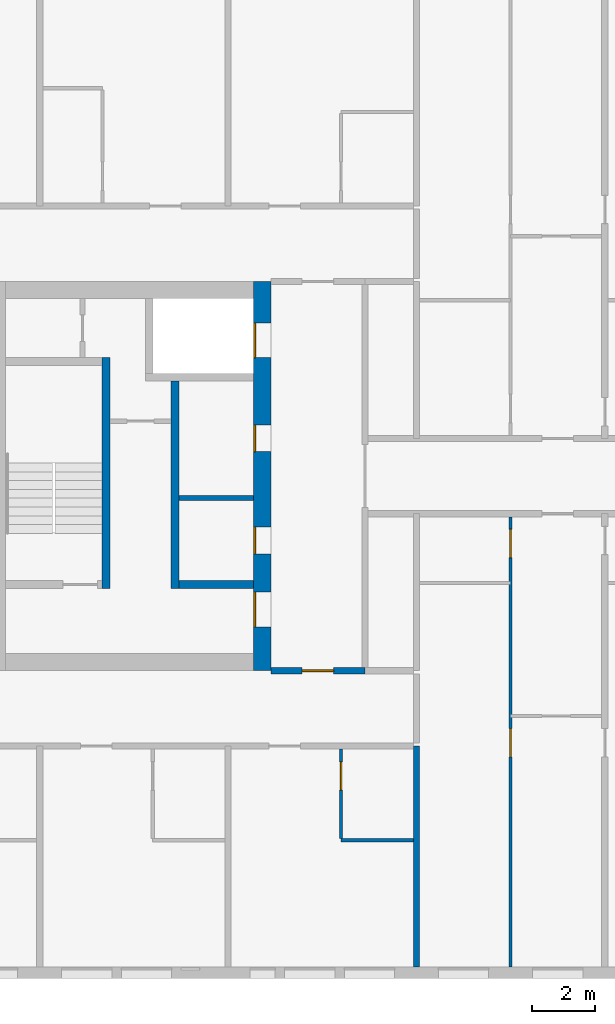
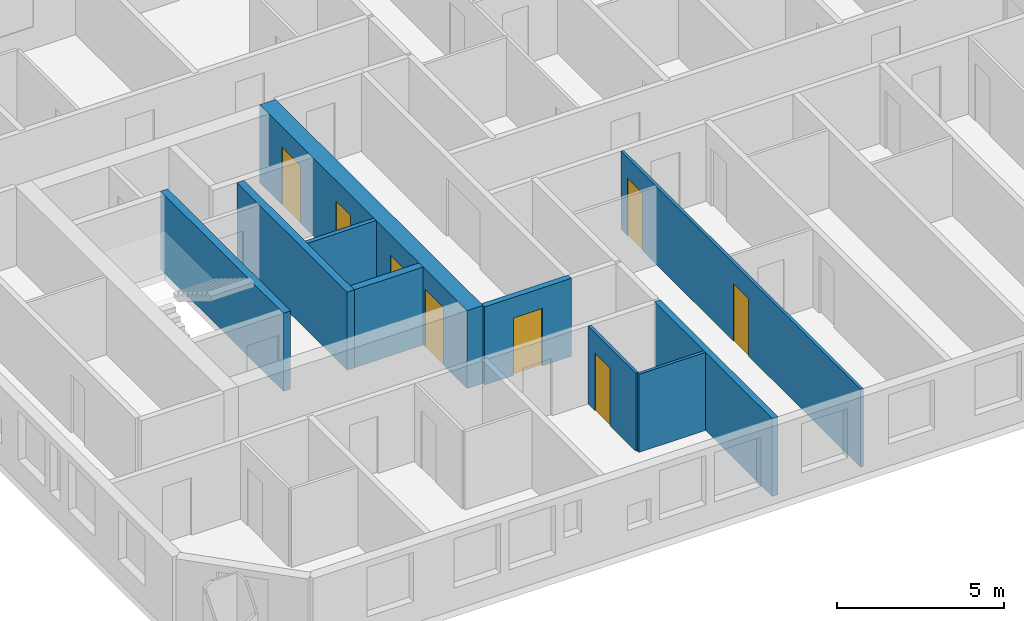
# One storey, part 3 of 16: 10 walls, 8 doors, 8 openings.
"""IFC4 building model written with IfcOpenShell, lengths in metres."""

from ifc_helpers import new_model, si_unit, direction, frame, frame_2d, origin, place, context, subcontext, project, spatial, rectangle, extrude, material, layer, layer_set, type_object, element, fill, save


model = new_model("IFC4")

# Units and contexts
model_context = context("Model", 3, precision=1e-05, world=origin(), true_north=direction((0.0, 1.0)))
body_context = subcontext(model_context, "Body", "Model", "MODEL_VIEW")
ifc_project = project(units=[si_unit("LENGTHUNIT", "METRE"), si_unit("AREAUNIT", "SQUARE_METRE"), si_unit("VOLUMEUNIT", "CUBIC_METRE"), si_unit("PLANEANGLEUNIT", "RADIAN"), si_unit("MASSUNIT", "GRAM", prefix="KILO")], contexts=[model_context])

# Site, building, storey
site_placement = place(None, origin())
site = spatial("IfcSite", under=ifc_project, at=site_placement, CompositionType="ELEMENT")
building_placement = place(site_placement, origin())
building = spatial("IfcBuilding", under=site, at=building_placement, Name="Tuart Gate Housing", CompositionType="ELEMENT")
storey_placement = place(building_placement, frame((0.0, 0.0, 129.89990234375)))
storey = spatial("IfcBuildingStorey", under=building, at=storey_placement, Name="L36", CompositionType="ELEMENT", Elevation=129.89990234375)

# Walls
ifc_material_1 = material(Name="Plasterboard partition")
ifc_layer_1 = layer(ifc_material_1, 0.14990234375)
ifc_layer_set_1 = layer_set([ifc_layer_1], Name="Core partition 150")
wall_type_1 = type_object("IfcWallType", Name="Core partition 150", PredefinedType="PARTITIONING", material=ifc_layer_set_1)
wall_1_placement = place(storey_placement, frame((40.81005859375, 69.300048828125, 0.0), z_axis=(0.0, 0.0, 1.0), x_axis=(-1.0, 0.0, 0.0)))
element("IfcWall", 1, at=wall_1_placement, inside=storey, type_object=wall_type_1, Name="Core partition AK.4", PredefinedType="PARTITIONING", context=body_context, shape_type="SweptSolid", body=[
    extrude(rectangle(XDim=2.375, YDim=0.14990234375, at=frame_2d((1.1875, 0.0))), origin(), (0.0, 0.0, 1.0), 2.85009765625),
])
ifc_material_2 = material(Name="Concrete C50", Category="concrete")
ifc_layer_2 = layer(ifc_material_2, 0.25)
ifc_layer_set_2 = layer_set([ifc_layer_2], Name="Core wall 250 C50")
wall_type_2 = type_object("IfcWallType", Name="Core wall 250 C50", PredefinedType="SHEAR", material=ifc_layer_set_2)
wall_2_placement = place(storey_placement, frame((40.81005859375, 66.550048828125, 0.0), z_axis=(0.0, 0.0, 1.0), x_axis=(-1.0, 0.0, 0.0)))
element("IfcWall", 2, at=wall_2_placement, inside=storey, type_object=wall_type_2, Name="Core wall AK.5", PredefinedType="SHEAR", context=body_context, shape_type="SweptSolid", body=[
    extrude(rectangle(XDim=2.375, YDim=0.25, at=frame_2d((1.1875, 0.0))), origin(), (0.0, 0.0, 1.0), 2.85009765625),
])
wall_3_placement = place(storey_placement, frame((38.31005859375, 73.02490234375, 0.0), z_axis=(0.0, 0.0, 1.0), x_axis=(0.0, -1.0, 0.0)))
element("IfcWall", 3, at=wall_3_placement, inside=storey, type_object=wall_type_2, Name="Core wall AK.7", PredefinedType="SHEAR", context=body_context, shape_type="SweptSolid", body=[
    extrude(rectangle(XDim=6.599853515625, YDim=0.25, at=frame_2d((3.2998046875, 0.0))), origin(), (0.0, 0.0, 1.0), 2.85009765625),
])
wall_4_placement = place(storey_placement, frame((36.110107421875, 73.77490234375, 0.0), z_axis=(0.0, 0.0, 1.0), x_axis=(0.0, -1.0, 0.0)))
element("IfcWall", 4, at=wall_4_placement, inside=storey, type_object=wall_type_2, Name="Core wall AK.9", PredefinedType="SHEAR", context=body_context, shape_type="SweptSolid", body=[
    extrude(rectangle(XDim=7.349853515625, YDim=0.25, at=frame_2d((3.6748046875, 0.0))), origin(), (0.0, 0.0, 1.0), 2.85009765625),
])

# Wall, openings, doors
ifc_material_3 = material(Name="Concrete C50", Category="concrete")
ifc_layer_3 = layer(ifc_material_3, 0.550048828125)
ifc_layer_set_3 = layer_set([ifc_layer_3], Name="Core wall 550 C50")
wall_type_3 = type_object("IfcWallType", Name="Core wall 550 C50", PredefinedType="SHEAR", material=ifc_layer_set_3)
wall_5_placement = place(storey_placement, frame((41.0849609375, 76.199951171875, 0.0), z_axis=(0.0, 0.0, 1.0), x_axis=(0.0, -1.0, 0.0)))
wall_5 = element("IfcWall", 5, at=wall_5_placement, inside=storey, type_object=wall_type_3, Name="Core wall AK front", PredefinedType="SHEAR", context=body_context, shape_type="SweptSolid", body=[
    extrude(rectangle(XDim=12.39990234375, YDim=0.550048828125, at=frame_2d((6.199951171875, 0.0))), origin(), (0.0, 0.0, 1.0), 2.85009765625),
])
opening_1_placement = place(wall_5_placement, frame((1.324951171875, 0.0, 0.0)))
opening_1 = element("IfcOpeningElement", 6, at=opening_1_placement, cuts=wall_5, Name="Opening LD-FA2", PredefinedType="OPENING", context=body_context, shape_type="SweptSolid", body=[
    extrude(rectangle(XDim=1.10009765625, YDim=2.10009765625, at=frame_2d((0.550048828125, 1.050048828125))), frame((0.0, 0.284912109375, 0.0), z_axis=(0.0, -1.0, 0.0), x_axis=(1.0, 0.0, 0.0)), (0.0, 0.0, 1.0), 0.570068359375),
])
opening_2_placement = place(wall_5_placement, frame((4.574951171875, 0.0, 0.0)))
opening_2 = element("IfcOpeningElement", 7, at=opening_2_placement, cuts=wall_5, Name="Opening D1320", PredefinedType="OPENING", context=body_context, shape_type="SweptSolid", body=[
    extrude(rectangle(XDim=0.85009765625, YDim=2.10009765625, at=frame_2d((0.425048828125, 1.050048828125))), frame((0.0, 0.284912109375, 0.0), z_axis=(0.0, -1.0, 0.0), x_axis=(1.0, 0.0, 0.0)), (0.0, 0.0, 1.0), 0.570068359375),
])
opening_3_placement = place(wall_5_placement, frame((7.824951171875, 0.0, 0.0)))
opening_3 = element("IfcOpeningElement", 8, at=opening_3_placement, cuts=wall_5, Name="Opening D1321", PredefinedType="OPENING", context=body_context, shape_type="SweptSolid", body=[
    extrude(rectangle(XDim=0.85009765625, YDim=2.10009765625, at=frame_2d((0.425048828125, 1.050048828125))), frame((0.0, 0.284912109375, 0.0), z_axis=(0.0, -1.0, 0.0), x_axis=(1.0, 0.0, 0.0)), (0.0, 0.0, 1.0), 0.570068359375),
])
opening_4_placement = place(wall_5_placement, frame((9.89990234375, 0.0, 0.0)))
opening_4 = element("IfcOpeningElement", 9, at=opening_4_placement, cuts=wall_5, Name="Opening D1319", PredefinedType="OPENING", context=body_context, shape_type="SweptSolid", body=[
    extrude(rectangle(XDim=1.10009765625, YDim=2.10009765625, at=frame_2d((0.550048828125, 1.050048828125))), frame((0.0, 0.284912109375, 0.0), z_axis=(0.0, -1.0, 0.0), x_axis=(1.0, 0.0, 0.0)), (0.0, 0.0, 1.0), 0.570068359375),
])
ifc_material_4 = material(Name="Stainless steel", Category="steel")
door_type_1 = type_object("IfcDoorType", Name="Landing door 1100 x 2100", OperationType="DOUBLE_DOOR_SLIDING", PredefinedType="DOOR", material=ifc_material_4)
door_1_placement = place(opening_1_placement, origin())
door_1 = element("IfcDoor", 10, at=door_1_placement, inside=storey, type_object=door_type_1, Name="Lift landing door FA2", OperationType="DOUBLE_DOOR_SLIDING", OverallHeight=2.10009765625, OverallWidth=1.10009765625, PredefinedType="DOOR", context=body_context, shape_type="SweptSolid", body=[
    extrude(rectangle(XDim=1.10009765625, YDim=2.10009765625, at=frame_2d((0.550048828125, 1.050048828125))), frame((0.0, -0.2099609375, 0.0), z_axis=(0.0, -1.0, 0.0), x_axis=(1.0, 0.0, 0.0)), (0.0, 0.0, 1.0), 0.050048828125),
])
fill(opening_1, door_1)
ifc_material_5 = material(Name="Steel fire door", Category="steel")
door_type_2 = type_object("IfcDoorType", Name="Lobby door 1100 x 2100 RH", OperationType="SINGLE_SWING_RIGHT", PredefinedType="DOOR", material=ifc_material_5)
door_2_placement = place(opening_4_placement, frame((1.10009765625, 0.0, 0.0), z_axis=(0.0, 0.0, 1.0), x_axis=(-1.0, 0.0, 0.0)))
door_2 = element("IfcDoor", 11, at=door_2_placement, inside=storey, type_object=door_type_2, Name="Lobby entry door AK.EN", OperationType="SINGLE_SWING_RIGHT", OverallHeight=2.10009765625, OverallWidth=1.10009765625, PredefinedType="DOOR", context=body_context, shape_type="SweptSolid", body=[
    extrude(rectangle(XDim=1.10009765625, YDim=2.10009765625, at=frame_2d((0.550048828125, 1.050048828125))), frame((0.0, 0.260009765625, 0.0), z_axis=(0.0, -1.0, 0.0), x_axis=(1.0, 0.0, 0.0)), (0.0, 0.0, 1.0), 0.050048828125),
])
fill(opening_4, door_2)
ifc_material_6 = material(Name="Steel fire door", Category="steel")
door_type_3 = type_object("IfcDoorType", Name="Service door 850 x 2100 RH", OperationType="SINGLE_SWING_RIGHT", PredefinedType="DOOR", material=ifc_material_6)
door_3_placement = place(opening_2_placement, frame((0.85009765625, 0.0, 0.0), z_axis=(0.0, 0.0, 1.0), x_axis=(-1.0, 0.0, 0.0)))
door_3 = element("IfcDoor", 12, at=door_3_placement, inside=storey, type_object=door_type_3, Name="Service room door AK.FR1", OperationType="SINGLE_SWING_RIGHT", OverallHeight=2.10009765625, OverallWidth=0.85009765625, PredefinedType="DOOR", context=body_context, shape_type="SweptSolid", body=[
    extrude(rectangle(XDim=0.85009765625, YDim=2.10009765625, at=frame_2d((0.425048828125, 1.050048828125))), frame((0.0, 0.260009765625, 0.0), z_axis=(0.0, -1.0, 0.0), x_axis=(1.0, 0.0, 0.0)), (0.0, 0.0, 1.0), 0.050048828125),
])
fill(opening_2, door_3)
door_4_placement = place(opening_3_placement, frame((0.85009765625, 0.0, 0.0), z_axis=(0.0, 0.0, 1.0), x_axis=(-1.0, 0.0, 0.0)))
door_4 = element("IfcDoor", 13, at=door_4_placement, inside=storey, type_object=door_type_3, Name="Service room door AK.FR2", OperationType="SINGLE_SWING_RIGHT", OverallHeight=2.10009765625, OverallWidth=0.85009765625, PredefinedType="DOOR", context=body_context, shape_type="SweptSolid", body=[
    extrude(rectangle(XDim=0.85009765625, YDim=2.10009765625, at=frame_2d((0.425048828125, 1.050048828125))), frame((0.0, 0.260009765625, 0.0), z_axis=(0.0, -1.0, 0.0), x_axis=(1.0, 0.0, 0.0)), (0.0, 0.0, 1.0), 0.050048828125),
])
fill(opening_3, door_4)

# Wall, opening, door
ifc_material_7 = material(Name="Concrete masonry 15 MPa", Category="masonry")
ifc_layer_4 = layer(ifc_material_7, 0.199951171875)
ifc_layer_set_4 = layer_set([ifc_layer_4], Name="Enclosure wall masonry 200")
wall_type_4 = type_object("IfcWallType", Name="Enclosure wall masonry 200", PredefinedType="PARTITIONING", material=ifc_layer_set_4)
wall_6_placement = place(storey_placement, frame((41.360107421875, 63.800048828125, 0.0), z_axis=(0.0, 0.0, 1.0), x_axis=(1.0, 0.0, 0.0)))
wall_6 = element("IfcWall", 14, at=wall_6_placement, inside=storey, type_object=wall_type_4, Name="Enclosure wall masonry 200", PredefinedType="PARTITIONING", context=body_context, shape_type="SweptSolid", body=[
    extrude(rectangle(XDim=3.0, YDim=0.199951171875, at=frame_2d((1.5, 0.0))), origin(), (0.0, 0.0, 1.0), 2.85009765625),
])
opening_5_placement = place(wall_6_placement, frame((1.0, 0.0, 0.0)))
opening_5 = element("IfcOpeningElement", 15, at=opening_5_placement, cuts=wall_6, Name="Opening D1329", PredefinedType="OPENING", context=body_context, shape_type="SweptSolid", body=[
    extrude(rectangle(XDim=1.0, YDim=2.10009765625, at=frame_2d((0.5, 1.050048828125))), frame((0.0, 0.10986328125, 0.0), z_axis=(0.0, -1.0, 0.0), x_axis=(1.0, 0.0, 0.0)), (0.0, 0.0, 1.0), 0.219970703125),
])
ifc_material_8 = material(Name="Timber door leaf in steel frame", Category="steel")
door_type_4 = type_object("IfcDoorType", Name="Fire door 1000", OperationType="SINGLE_SWING_LEFT", PredefinedType="DOOR", material=ifc_material_8)
door_5_placement = place(opening_5_placement, frame((1.0, 0.0, 0.0), z_axis=(0.0, 0.0, 1.0), x_axis=(-1.0, 0.0, 0.0)))
door_5 = element("IfcDoor", 16, at=door_5_placement, inside=storey, type_object=door_type_4, Name="Fire door", OperationType="SINGLE_SWING_LEFT", OverallHeight=2.10009765625, OverallWidth=1.0, PredefinedType="DOOR", context=body_context, shape_type="SweptSolid", body=[
    extrude(rectangle(XDim=1.0, YDim=2.10009765625, at=frame_2d((0.5, 1.050048828125))), frame((0.0, 0.025146484375, 0.0), z_axis=(0.0, -1.0, 0.0), x_axis=(1.0, 0.0, 0.0)), (0.0, 0.0, 1.0), 0.050048828125),
])
fill(opening_5, door_5)

# Wall
ifc_material_9 = material(Name="Gypsum board on steel studs", Category="steel")
ifc_layer_5 = layer(ifc_material_9, 0.10009765625)
ifc_layer_set_5 = layer_set([ifc_layer_5], Name="Partition 100")
wall_type_5 = type_object("IfcWallType", Name="Partition 100", PredefinedType="PARTITIONING", material=ifc_layer_set_5)
wall_7_placement = place(storey_placement, frame((43.60009765625, 58.39990234375, 0.0), z_axis=(0.0, 0.0, 1.0), x_axis=(1.0, 0.0, 0.0)))
element("IfcWall", 17, at=wall_7_placement, inside=storey, type_object=wall_type_5, Name="Partition 100", PredefinedType="PARTITIONING", context=body_context, shape_type="SweptSolid", body=[
    extrude(rectangle(XDim=2.2998046875, YDim=0.10009765625, at=frame_2d((1.14990234375, 0.0))), origin(), (0.0, 0.0, 1.0), 2.85009765625),
])

# Wall, opening, door
wall_8_placement = place(storey_placement, frame((43.60009765625, 58.449951171875, 0.0), z_axis=(0.0, 0.0, 1.0), x_axis=(0.0, 1.0, 0.0)))
wall_8 = element("IfcWall", 18, at=wall_8_placement, inside=storey, type_object=wall_type_5, Name="Partition 100", PredefinedType="PARTITIONING", context=body_context, shape_type="SweptSolid", body=[
    extrude(rectangle(XDim=2.85009765625, YDim=0.10009765625, at=frame_2d((1.425048828125, 0.0))), origin(), (0.0, 0.0, 1.0), 2.85009765625),
])
opening_6_placement = place(wall_8_placement, frame((1.550048828125, 0.0, 0.0)))
opening_6 = element("IfcOpeningElement", 19, at=opening_6_placement, cuts=wall_8, Name="Opening D1347", PredefinedType="OPENING", context=body_context, shape_type="SweptSolid", body=[
    extrude(rectangle(XDim=0.89990234375, YDim=2.10009765625, at=frame_2d((0.449951171875, 1.050048828125))), frame((0.0, 0.06005859375, 0.0), z_axis=(0.0, -1.0, 0.0), x_axis=(1.0, 0.0, 0.0)), (0.0, 0.0, 1.0), 0.1201171875),
])
ifc_material_10 = material(Name="Timber door leaf in steel frame", Category="steel")
door_type_5 = type_object("IfcDoorType", Name="Bathroom door 900", OperationType="SINGLE_SWING_LEFT", PredefinedType="DOOR", material=ifc_material_10)
door_6_placement = place(opening_6_placement, frame((0.89990234375, 0.0, 0.0), z_axis=(0.0, 0.0, 1.0), x_axis=(-1.0, 0.0, 0.0)))
door_6 = element("IfcDoor", 20, at=door_6_placement, inside=storey, type_object=door_type_5, Name="Bathroom door", OperationType="SINGLE_SWING_LEFT", OverallHeight=2.10009765625, OverallWidth=0.89990234375, PredefinedType="DOOR", context=body_context, shape_type="SweptSolid", body=[
    extrude(rectangle(XDim=0.89990234375, YDim=2.10009765625, at=frame_2d((0.449951171875, 1.050048828125))), frame((0.0, 0.025146484375, 0.0), z_axis=(0.0, -1.0, 0.0), x_axis=(1.0, 0.0, 0.0)), (0.0, 0.0, 1.0), 0.050048828125),
])
fill(opening_6, door_6)

# Wall, openings, doors
wall_9_placement = place(storey_placement, frame((49.0, 54.360107421875, 0.0), z_axis=(0.0, 0.0, 1.0), x_axis=(0.0, 1.0, 0.0)))
wall_9 = element("IfcWall", 21, at=wall_9_placement, inside=storey, type_object=wall_type_5, Name="Partition 100", PredefinedType="PARTITIONING", context=body_context, shape_type="SweptSolid", body=[
    extrude(rectangle(XDim=14.33984375, YDim=0.10009765625, at=frame_2d((7.169921875, 0.0))), origin(), (0.0, 0.0, 1.0), 2.85009765625),
])
opening_7_placement = place(wall_9_placement, frame((6.699951171875, 0.0, 0.0)))
opening_7 = element("IfcOpeningElement", 22, at=opening_7_placement, cuts=wall_9, Name="Opening D1337", PredefinedType="OPENING", context=body_context, shape_type="SweptSolid", body=[
    extrude(rectangle(XDim=0.89990234375, YDim=2.10009765625, at=frame_2d((0.449951171875, 1.050048828125))), frame((0.0, 0.06005859375, 0.0), z_axis=(0.0, -1.0, 0.0), x_axis=(1.0, 0.0, 0.0)), (0.0, 0.0, 1.0), 0.1201171875),
])
opening_8_placement = place(wall_9_placement, frame((13.0400390625, 0.0, 0.0)))
opening_8 = element("IfcOpeningElement", 23, at=opening_8_placement, cuts=wall_9, Name="Opening D1336", PredefinedType="OPENING", context=body_context, shape_type="SweptSolid", body=[
    extrude(rectangle(XDim=0.89990234375, YDim=2.10009765625, at=frame_2d((0.449951171875, 1.050048828125))), frame((0.0, 0.06005859375, 0.0), z_axis=(0.0, -1.0, 0.0), x_axis=(1.0, 0.0, 0.0)), (0.0, 0.0, 1.0), 0.1201171875),
])
ifc_material_11 = material(Name="Timber door leaf in steel frame", Category="steel")
door_type_6 = type_object("IfcDoorType", Name="Bathroom door 900 RH", OperationType="SINGLE_SWING_RIGHT", PredefinedType="DOOR", material=ifc_material_11)
door_7_placement = place(opening_8_placement, origin())
door_7 = element("IfcDoor", 24, at=door_7_placement, inside=storey, type_object=door_type_6, Name="Bathroom door", OperationType="SINGLE_SWING_RIGHT", OverallHeight=2.10009765625, OverallWidth=0.89990234375, PredefinedType="DOOR", context=body_context, shape_type="SweptSolid", body=[
    extrude(rectangle(XDim=0.89990234375, YDim=2.10009765625, at=frame_2d((0.449951171875, 1.050048828125))), frame((0.0, 0.02490234375, 0.0), z_axis=(0.0, -1.0, 0.0), x_axis=(1.0, 0.0, 0.0)), (0.0, 0.0, 1.0), 0.050048828125),
])
fill(opening_8, door_7)
ifc_material_12 = material(Name="Timber door leaf in steel frame", Category="steel")
door_type_7 = type_object("IfcDoorType", Name="Internal door 900 RH", OperationType="SINGLE_SWING_RIGHT", PredefinedType="DOOR", material=ifc_material_12)
door_8_placement = place(opening_7_placement, origin())
door_8 = element("IfcDoor", 25, at=door_8_placement, inside=storey, type_object=door_type_7, Name="Internal door", OperationType="SINGLE_SWING_RIGHT", OverallHeight=2.10009765625, OverallWidth=0.89990234375, PredefinedType="DOOR", context=body_context, shape_type="SweptSolid", body=[
    extrude(rectangle(XDim=0.89990234375, YDim=2.10009765625, at=frame_2d((0.449951171875, 1.050048828125))), frame((0.0, 0.02490234375, 0.0), z_axis=(0.0, -1.0, 0.0), x_axis=(1.0, 0.0, 0.0)), (0.0, 0.0, 1.0), 0.050048828125),
])
fill(opening_7, door_8)

# Wall
ifc_material_13 = material(Name="Concrete C40", Category="concrete")
ifc_layer_6 = layer(ifc_material_13, 0.199951171875)
ifc_layer_set_6 = layer_set([ifc_layer_6], Name="Party wall concrete C40 200")
wall_type_6 = type_object("IfcWallType", Name="Party wall concrete C40 200", PredefinedType="SOLIDWALL", material=ifc_layer_set_6)
wall_10_placement = place(storey_placement, frame((46.0, 54.360107421875, 0.0), z_axis=(0.0, 0.0, 1.0), x_axis=(0.0, 1.0, 0.0)))
element("IfcWall", 26, at=wall_10_placement, inside=storey, type_object=wall_type_6, Name="Party wall concrete C40 200", PredefinedType="SOLIDWALL", context=body_context, shape_type="SweptSolid", body=[
    extrude(rectangle(XDim=7.039794921875, YDim=0.199951171875, at=frame_2d((3.52001953125, 0.0))), origin(), (0.0, 0.0, 1.0), 2.85009765625),
])

save(model, "model.ifc")
